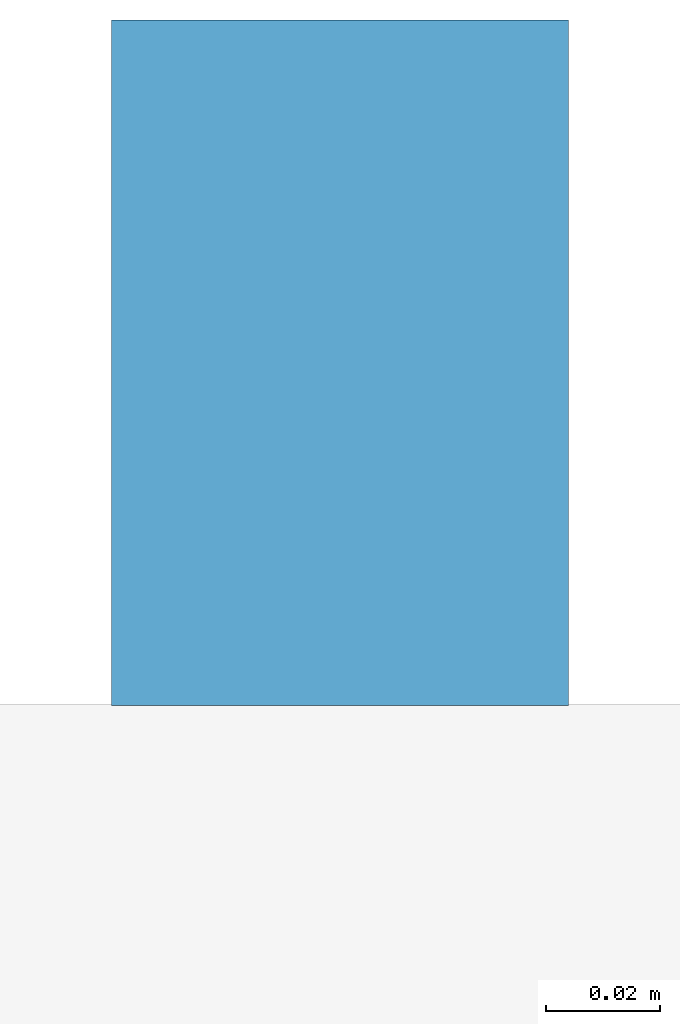
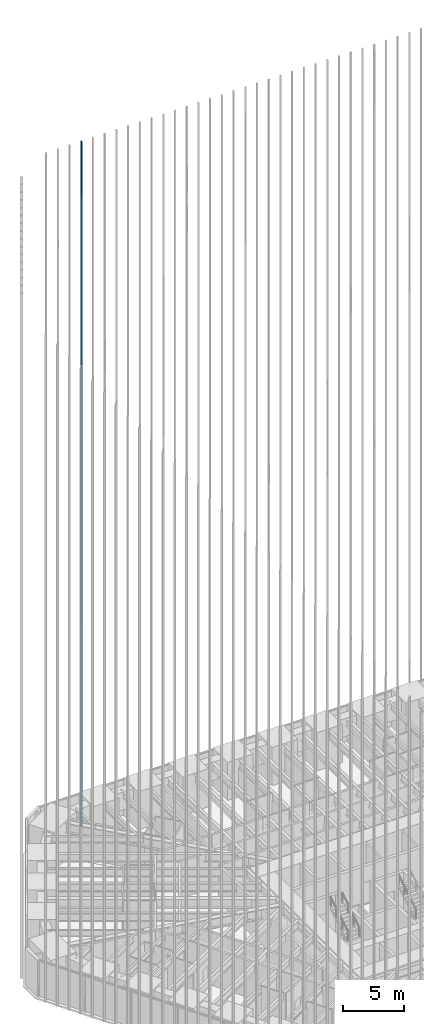
# One storey, part 167 of 256: 1 member, 1 element without a shape of its own.
"""IFC4 building model written with IfcOpenShell, lengths in metres."""

from ifc_helpers import new_model, si_unit, direction, frame, origin, origin_2d, place, context, subcontext, project, spatial, rectangle, extrude, material, material_profile, profile_set, type_object, element, aggregate, save


model = new_model("IFC4")

# Units and contexts
model_context = context("Model", 3, precision=1e-05, world=origin(), true_north=direction((0.0, 1.0)))
body_context = subcontext(model_context, "Body", "Model", "MODEL_VIEW")
ifc_project = project(units=[si_unit("LENGTHUNIT", "METRE"), si_unit("AREAUNIT", "SQUARE_METRE"), si_unit("VOLUMEUNIT", "CUBIC_METRE"), si_unit("PLANEANGLEUNIT", "RADIAN"), si_unit("MASSUNIT", "GRAM", prefix="KILO")], contexts=[model_context])

# Site, building, storey
site_placement = place(None, origin())
site = spatial("IfcSite", under=ifc_project, at=site_placement, CompositionType="ELEMENT")
building_placement = place(site_placement, origin())
building = spatial("IfcBuilding", under=site, at=building_placement, Name="Sandreach Pilgrim Tower", CompositionType="ELEMENT")
storey_placement = place(building_placement, frame((0.0, 0.0, 23.0)))
storey = spatial("IfcBuildingStorey", under=building, at=storey_placement, Name="L04", CompositionType="ELEMENT", Elevation=23.0)

# Curtain wall, member
ifc_material_1 = material(Name="Aluminium framed curtain wall", Category="aluminium")
curtain_wall_type = type_object("IfcCurtainWallType", Name="Hostel tower curtain wall", PredefinedType="NOTDEFINED", material=ifc_material_1)
curtain_wall_placement = place(storey_placement, origin())
curtain_wall = element("IfcCurtainWall", 1, at=curtain_wall_placement, inside=storey, type_object=curtain_wall_type, Name="CW-1 L04 N", PredefinedType="NOTDEFINED")
ifc_material_2 = material(Name="Extruded terracotta on aluminium core", Category="masonry")
ifc_material_profile = material_profile(ifc_material_2, rectangle(XDim=0.080078125, YDim=0.1201171875, at=origin_2d()), Name="TBN 80X120")
ifc_profile_set = profile_set([ifc_material_profile], Name="Extruded terracotta on aluminium core")
member_type = type_object("IfcMemberType", Name="Terracotta baguette north", PredefinedType="USERDEFINED", material=ifc_profile_set)
member_placement = place(storey_placement, frame((-15.462158203125, 24.30859375, 0.0), z_axis=(0.0, 0.0, 1.0), x_axis=(1.0, 0.0, 0.0)))
member = element("IfcMember", 2, at=member_placement, type_object=member_type, Name="Baguette Z1 N04", ObjectType="BAGUETTE", PredefinedType="USERDEFINED", context=body_context, shape_type="SweptSolid", body=[
    extrude(rectangle(XDim=0.080078125, YDim=0.1201171875, at=origin_2d()), origin(), (0.0, 0.0, 1.0), 68.239990234375),
])
aggregate(curtain_wall, [member])

save(model, "model.ifc")
